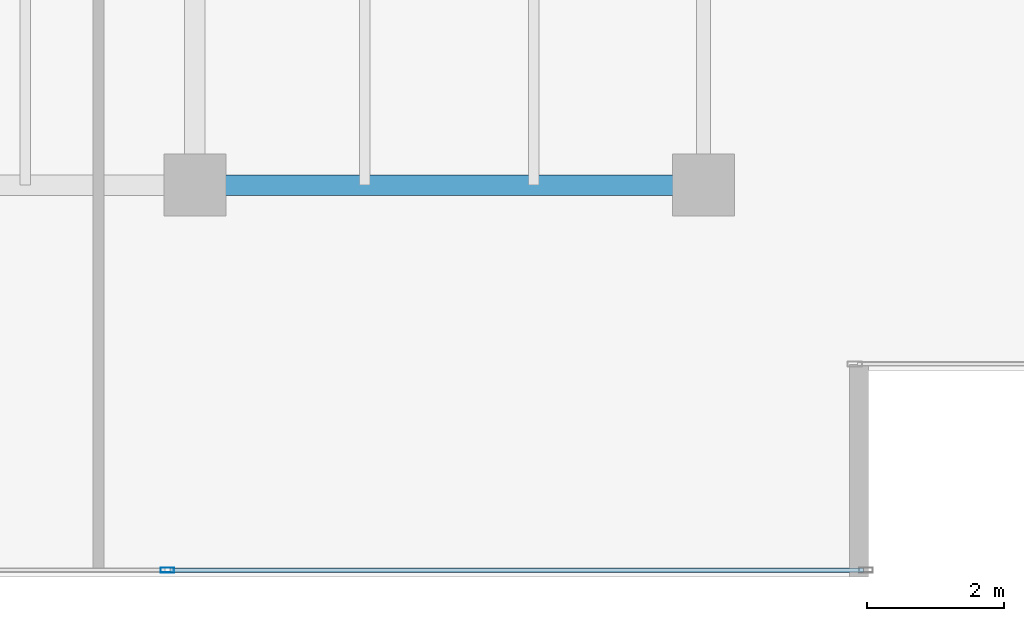
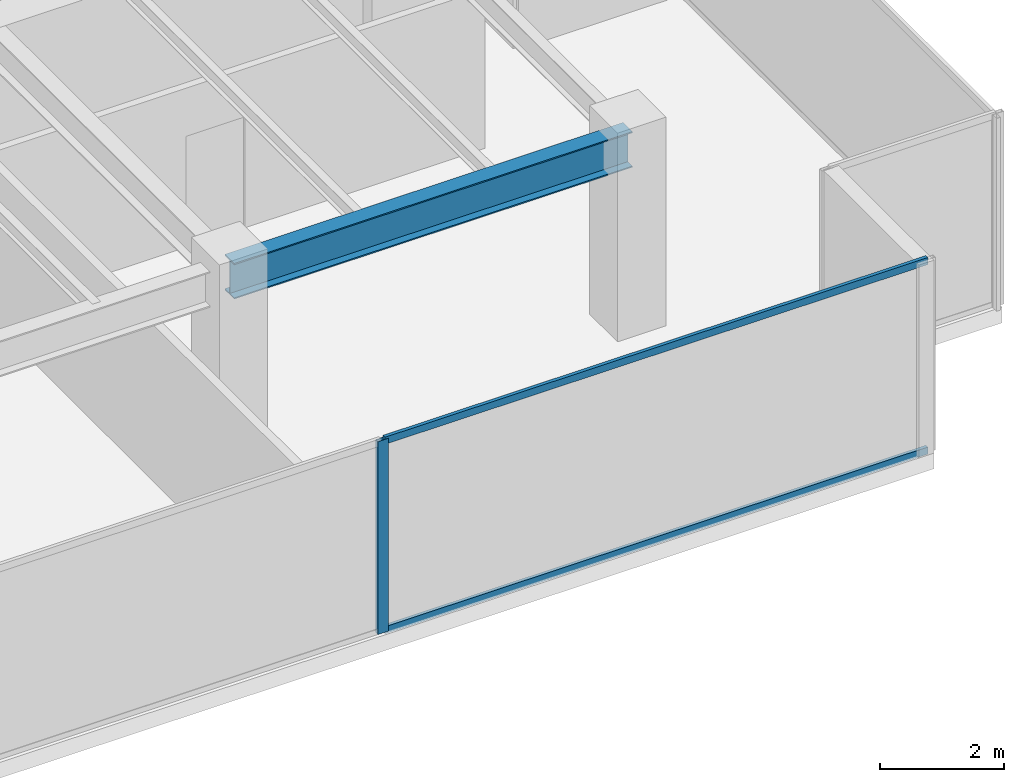
# One storey, part 12 of 30: 3 members, 1 beam, 1 element without a shape of its own.
"""IFC4 building model written with IfcOpenShell, lengths in metres."""

from ifc_helpers import new_model, si_unit, direction, frame, origin, origin_2d, place, context, subcontext, project, spatial, hollow_rectangle, i_section, extrude, source, transform, mapped, material, layer, layer_set, material_profile, profile_set, type_object, type_shapes, element, aggregate, save


model = new_model("IFC4")

# Units and contexts
model_context = context("Model", 3, precision=1e-05, world=origin(), true_north=direction((0.0, 1.0)))
body_context = subcontext(model_context, "Body", "Model", "MODEL_VIEW")
ifc_project = project(units=[si_unit("LENGTHUNIT", "METRE"), si_unit("AREAUNIT", "SQUARE_METRE"), si_unit("VOLUMEUNIT", "CUBIC_METRE"), si_unit("PLANEANGLEUNIT", "RADIAN"), si_unit("MASSUNIT", "GRAM", prefix="KILO")], contexts=[model_context])

# Site, building, storey
site_placement = place(None, origin())
site = spatial("IfcSite", under=ifc_project, at=site_placement, CompositionType="ELEMENT")
building_placement = place(site_placement, origin())
building = spatial("IfcBuilding", under=site, at=building_placement, Name="Haelvirn Gate Laboratories", CompositionType="ELEMENT")
storey_placement = place(building_placement, frame((0.0, 0.0, 105.10009765625)))
storey = spatial("IfcBuildingStorey", under=building, at=storey_placement, Name="L25", CompositionType="ELEMENT", Elevation=105.10009765625)

# Beam
ifc_material_1 = material(Name="Steel SM355", Category="steel")
ifc_material_profile_1 = material_profile(ifc_material_1, i_section(OverallWidth=0.300048828125, OverallDepth=0.699951171875, WebThickness=0.012939453125, FlangeThickness=0.02392578125, at=origin_2d()), Name="H-700x300x13x24")
ifc_profile_set_1 = profile_set([ifc_material_profile_1], Name="Steel SM355")
beam_type = type_object("IfcBeamType", Name="BM-G-700", PredefinedType="BEAM", material=ifc_profile_set_1)
shared_shape_1 = source(origin(), body_context, "Body", "SweptSolid", [
    extrude(i_section(OverallWidth=0.300048828125, OverallDepth=0.699951171875, WebThickness=0.012939453125, FlangeThickness=0.02392578125, at=origin_2d()), origin(), (0.0, 0.0, 1.0), 7.39990234375),
])
type_shapes(beam_type, [shared_shape_1])
beam_placement = place(storey_placement, frame((60.0, 7.0, 3.43994140625), z_axis=(1.0, 0.0, 0.0), x_axis=(0.0, 1.0, 0.0)))
element("IfcBeam", 1, at=beam_placement, inside=storey, type_object=beam_type, Name="L25 Primary Girder Y7.0 (60.0-67.4)", PredefinedType="BEAM", context=body_context, shape_type="MappedRepresentation", body=[
    mapped(shared_shape_1, transform((0.0, 0.0, 0.0), scale=1.0)),
])

# Curtain wall, members
ifc_material_2 = material(Name="Anodised bronze unitised aluminium & triple low-E glass", Category="aluminium")
ifc_layer = layer(ifc_material_2, 0.179931640625, Name="CW-SYS-3")
ifc_layer_set = layer_set([ifc_layer], Name="Anodised bronze unitised aluminium & triple low-E glass")
curtain_wall_type = type_object("IfcCurtainWallType", Name="CW-SYS-3", PredefinedType="NOTDEFINED", material=ifc_layer_set)
curtain_wall_placement = place(storey_placement, origin())
curtain_wall = element("IfcCurtainWall", 2, at=curtain_wall_placement, inside=storey, type_object=curtain_wall_type, Name="L25 Unitised Curtain Wall CW-L25-P0-E04-1", PredefinedType="NOTDEFINED")
ifc_material_3 = material(Name="Extruded aluminium 6063-T6 (anodised bronze)", Category="aluminium")
ifc_material_profile_2 = material_profile(ifc_material_3, hollow_rectangle(XDim=0.06494140625, YDim=0.139892578125, WallThickness=0.00390625, at=origin_2d()), Name="CWT-140x65x4")
ifc_profile_set_2 = profile_set([ifc_material_profile_2], Name="Extruded aluminium 6063-T6 (anodised bronze)")
member_type_1 = type_object("IfcMemberType", Name="CWT-T140", PredefinedType="USERDEFINED", material=ifc_profile_set_2)
shared_shape_2 = source(origin(), body_context, "Body", "SweptSolid", [
    extrude(hollow_rectangle(XDim=0.06494140625, YDim=0.139892578125, WallThickness=0.00390625, at=origin_2d()), origin(), (0.0, 0.0, 1.0), 10.087646484375),
])
type_shapes(member_type_1, [shared_shape_2])
member_1_placement = place(storey_placement, frame((59.637451171875, 1.39990234375, 0.032470703125), z_axis=(1.0, 0.0, 0.0), x_axis=(0.0, 1.0, 0.0)))
member_1 = element("IfcMember", 3, at=member_1_placement, type_object=member_type_1, Name="CW3 transom 2.1", ObjectType="TRANSOM", PredefinedType="USERDEFINED", context=body_context, shape_type="MappedRepresentation", body=[
    mapped(shared_shape_2, transform((0.0, 0.0, 0.0), scale=1.0)),
])
member_2_placement = place(storey_placement, frame((59.637451171875, 1.39990234375, 3.75732421875), z_axis=(1.0, 0.0, 0.0), x_axis=(0.0, 1.0, 0.0)))
member_2 = element("IfcMember", 4, at=member_2_placement, type_object=member_type_1, Name="CW3 transom 2.2", ObjectType="TRANSOM", PredefinedType="USERDEFINED", context=body_context, shape_type="MappedRepresentation", body=[
    mapped(shared_shape_2, transform((0.0, 0.0, 0.0), scale=1.0)),
])
ifc_material_profile_3 = material_profile(ifc_material_3, hollow_rectangle(XDim=0.074951171875, YDim=0.199951171875, WallThickness=0.0048828125, at=origin_2d()), Name="CWM-200x75x5")
ifc_profile_set_3 = profile_set([ifc_material_profile_3], Name="Extruded aluminium 6063-T6 (anodised bronze)")
member_type_2 = type_object("IfcMemberType", Name="CWM-T200", PredefinedType="MULLION", material=ifc_profile_set_3)
shared_shape_3 = source(origin(), body_context, "Body", "SweptSolid", [
    extrude(hollow_rectangle(XDim=0.074951171875, YDim=0.199951171875, WallThickness=0.0048828125, at=origin_2d()), origin(), (0.0, 0.0, 1.0), 3.789794921875),
])
type_shapes(member_type_2, [shared_shape_3])
member_3_placement = place(storey_placement, frame((59.60009765625, 1.39990234375, 0.0), z_axis=(0.0, 0.0, 1.0), x_axis=(0.0, 1.0, 0.0)))
member_3 = element("IfcMember", 5, at=member_3_placement, type_object=member_type_2, Name="CW3 mullion 2", PredefinedType="MULLION", context=body_context, shape_type="MappedRepresentation", body=[
    mapped(shared_shape_3, transform((0.0, 0.0, 0.0), scale=1.0)),
])
aggregate(curtain_wall, [member_3, member_1, member_2])

save(model, "model.ifc")
